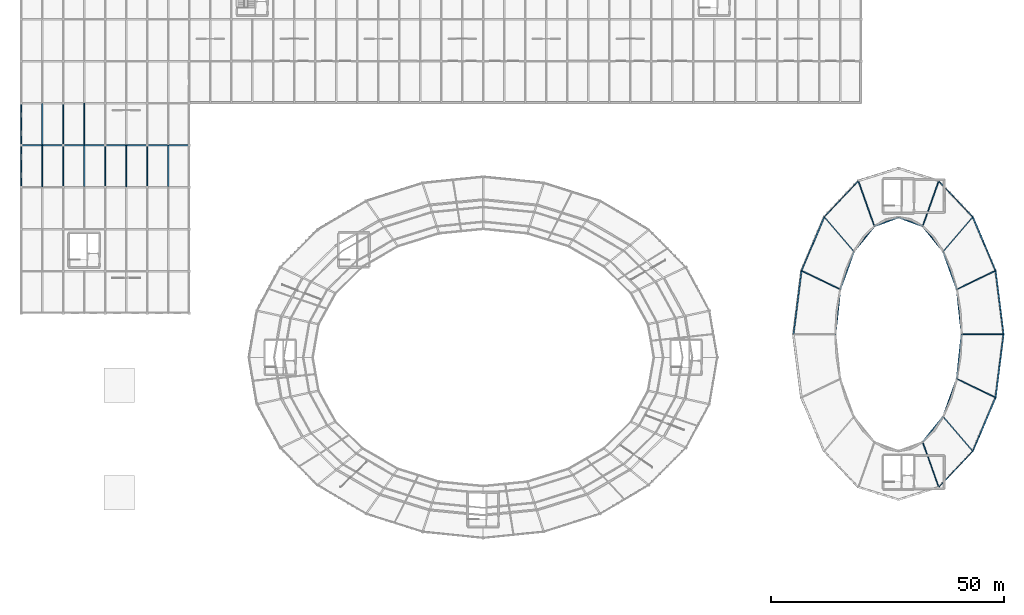
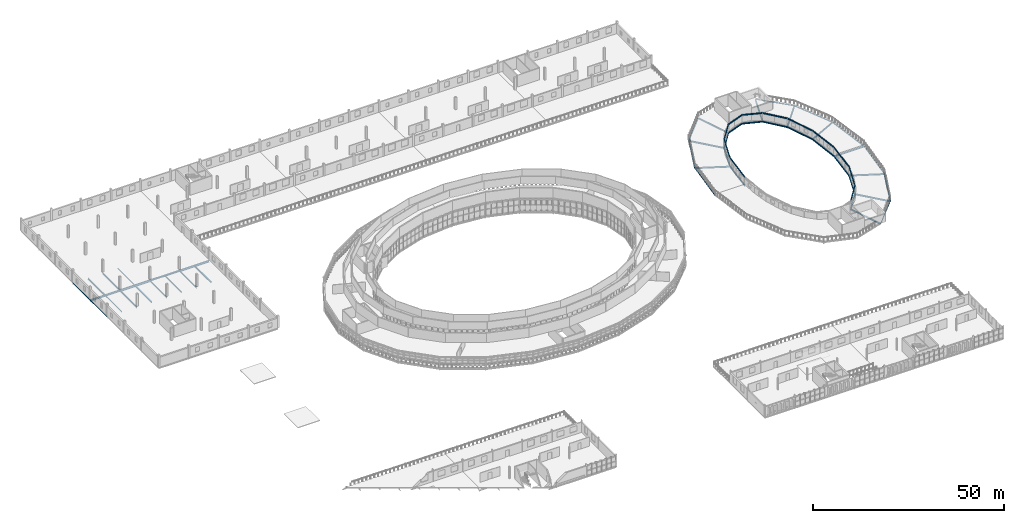
# One storey, part 70 of 123: 57 beams.
"""IFC4 building model written with IfcOpenShell, lengths in metres."""

from ifc_helpers import new_model, si_unit, direction, frame, origin, origin_2d, place, context, subcontext, project, spatial, hollow_rectangle, i_section, extrude, material, material_profile, profile_set, type_object, element, save


model = new_model("IFC4")

# Units and contexts
model_context = context("Model", 3, precision=1e-05, world=origin(), true_north=direction((0.0, 1.0)))
body_context = subcontext(model_context, "Body", "Model", "MODEL_VIEW")
ifc_project = project(units=[si_unit("LENGTHUNIT", "METRE"), si_unit("AREAUNIT", "SQUARE_METRE"), si_unit("VOLUMEUNIT", "CUBIC_METRE"), si_unit("PLANEANGLEUNIT", "RADIAN"), si_unit("MASSUNIT", "GRAM", prefix="KILO")], contexts=[model_context])

# Site, building, storey
site_placement = place(None, origin())
site = spatial("IfcSite", under=ifc_project, at=site_placement, CompositionType="ELEMENT")
building_placement = place(site_placement, origin())
building = spatial("IfcBuilding", under=site, at=building_placement, Name="Kildeholm Park Wholesale Market", CompositionType="ELEMENT")
storey_placement = place(building_placement, frame((0.0, 0.0, 9.60009765625)))
storey = spatial("IfcBuildingStorey", under=building, at=storey_placement, Name="L02", CompositionType="ELEMENT", Elevation=9.60009765625)

# Beams
ifc_material = material(Name="Steel S355", Category="steel")
ifc_material_profile_1 = material_profile(ifc_material, i_section(OverallWidth=0.14990234375, OverallDepth=0.300048828125, WebThickness=0.007080078125, FlangeThickness=0.0107421875, FilletRadius=0.014892578125, at=origin_2d()), Name="IPE 300")
ifc_profile_set_1 = profile_set([ifc_material_profile_1], Name="Steel S355")
beam_type_1 = type_object("IfcBeamType", Name="Beam B-C01 IPE 300", PredefinedType="BEAM", material=ifc_profile_set_1)
beam_1_placement = place(storey_placement, frame((201.5, 94.5, 2.219970703125), z_axis=(-0.106846684142, 0.99427550814, 0.0), x_axis=(-0.99427550814, -0.106846684142, 0.0)))
element("IfcBeam", 1, at=beam_1_placement, inside=storey, type_object=beam_type_1, Name="Beam BM-V2-RF-CI-00 BM-0369", PredefinedType="BEAM", context=body_context, shape_type="SweptSolid", body=[
    extrude(i_section(OverallWidth=0.14990234375, OverallDepth=0.300048828125, WebThickness=0.007080078125, FlangeThickness=0.0107421875, FilletRadius=0.014892578125, at=origin_2d()), origin(), (0.0, 0.0, 1.0), 9.6220703125),
])
beam_2_placement = place(storey_placement, frame((200.471923828125, 104.06689453125, 2.216796875), z_axis=(-0.339339006409, 0.940664147679, 0.0), x_axis=(-0.940664147679, -0.339339006409, 0.0)))
element("IfcBeam", 2, at=beam_2_placement, inside=storey, type_object=beam_type_1, Name="Beam BM-V2-RF-CI-01 BM-0376", PredefinedType="BEAM", context=body_context, shape_type="SweptSolid", body=[
    extrude(i_section(OverallWidth=0.14990234375, OverallDepth=0.300048828125, WebThickness=0.007080078125, FlangeThickness=0.0107421875, FilletRadius=0.014892578125, at=origin_2d()), origin(), (0.0, 0.0, 1.0), 8.622802734375),
])
beam_3_placement = place(storey_placement, frame((197.5458984375, 112.177978515625, 2.2158203125), z_axis=(-0.628601322688, 0.777727701136, 0.0), x_axis=(-0.777727701136, -0.628601322688, 0.0)))
element("IfcBeam", 3, at=beam_3_placement, inside=storey, type_object=beam_type_1, Name="Beam BM-V2-RF-CI-02 BM-0383", PredefinedType="BEAM", context=body_context, shape_type="SweptSolid", body=[
    extrude(i_section(OverallWidth=0.14990234375, OverallDepth=0.300048828125, WebThickness=0.007080078125, FlangeThickness=0.0107421875, FilletRadius=0.014892578125, at=origin_2d()), origin(), (0.0, 0.0, 1.0), 6.9677734375),
])
for number, where, z_axis, x_axis, name in (
    (4, (193.166015625, 117.596923828125, 2.216796875), (-0.93835447313, 0.345674532989, 0.0), (-0.345674532989, -0.93835447313, 0.0), "Beam BM-V2-RF-CI-03 BM-0390"),
    (5, (188.0, 119.5, 2.216796875), (-0.93835447313, -0.345674532989, 0.0), (0.345674532989, -0.93835447313, 0.0), "Beam BM-V2-RF-CI-04 BM-0395"),
):
    element("IfcBeam", number, at=place(storey_placement, frame(where, z_axis=z_axis, x_axis=x_axis)), inside=storey, type_object=beam_type_1, Name=name, PredefinedType="BEAM", context=body_context, shape_type="SweptSolid", body=[
        extrude(i_section(OverallWidth=0.14990234375, OverallDepth=0.300048828125, WebThickness=0.007080078125, FlangeThickness=0.0107421875, FilletRadius=0.014892578125, at=origin_2d()), origin(), (0.0, 0.0, 1.0), 5.50537109375),
    ])
beam_4_placement = place(storey_placement, frame((182.833984375, 117.596923828125, 2.2158203125), z_axis=(-0.628601322688, -0.777727701136, 0.0), x_axis=(0.777727701136, -0.628601322688, 0.0)))
element("IfcBeam", 6, at=beam_4_placement, inside=storey, type_object=beam_type_1, Name="Beam BM-V2-RF-CI-05 BM-0402", PredefinedType="BEAM", context=body_context, shape_type="SweptSolid", body=[
    extrude(i_section(OverallWidth=0.14990234375, OverallDepth=0.300048828125, WebThickness=0.007080078125, FlangeThickness=0.0107421875, FilletRadius=0.014892578125, at=origin_2d()), origin(), (0.0, 0.0, 1.0), 6.9677734375),
])
beam_5_placement = place(storey_placement, frame((178.4541015625, 112.177978515625, 2.216796875), z_axis=(-0.339339006409, -0.940664147679, 0.0), x_axis=(0.940664147679, -0.339339006409, 0.0)))
element("IfcBeam", 7, at=beam_5_placement, inside=storey, type_object=beam_type_1, Name="Beam BM-V2-RF-CI-06 BM-0409", PredefinedType="BEAM", context=body_context, shape_type="SweptSolid", body=[
    extrude(i_section(OverallWidth=0.14990234375, OverallDepth=0.300048828125, WebThickness=0.007080078125, FlangeThickness=0.0107421875, FilletRadius=0.014892578125, at=origin_2d()), origin(), (0.0, 0.0, 1.0), 8.622802734375),
])
beam_6_placement = place(storey_placement, frame((175.528076171875, 104.06689453125, 2.219970703125), z_axis=(-0.106846684142, -0.99427550814, 0.0), x_axis=(0.99427550814, -0.106846684142, 0.0)))
element("IfcBeam", 8, at=beam_6_placement, inside=storey, type_object=beam_type_1, Name="Beam BM-V2-RF-CI-07 BM-0416", PredefinedType="BEAM", context=body_context, shape_type="SweptSolid", body=[
    extrude(i_section(OverallWidth=0.14990234375, OverallDepth=0.300048828125, WebThickness=0.007080078125, FlangeThickness=0.0107421875, FilletRadius=0.014892578125, at=origin_2d()), origin(), (0.0, 0.0, 1.0), 9.6220703125),
])
beam_7_placement = place(storey_placement, frame((193.166015625, 71.403076171875, 2.2158203125), z_axis=(0.628601322688, 0.777727701136, 0.0), x_axis=(-0.777727701136, 0.628601322688, 0.0)))
element("IfcBeam", 9, at=beam_7_placement, inside=storey, type_object=beam_type_1, Name="Beam BM-V2-RF-CI-13 BM-0456", PredefinedType="BEAM", context=body_context, shape_type="SweptSolid", body=[
    extrude(i_section(OverallWidth=0.14990234375, OverallDepth=0.300048828125, WebThickness=0.007080078125, FlangeThickness=0.0107421875, FilletRadius=0.014892578125, at=origin_2d()), origin(), (0.0, 0.0, 1.0), 6.9677734375),
])
beam_8_placement = place(storey_placement, frame((197.5458984375, 76.822021484375, 2.216796875), z_axis=(0.339339006409, 0.940664147679, 0.0), x_axis=(-0.940664147679, 0.339339006409, 0.0)))
element("IfcBeam", 10, at=beam_8_placement, inside=storey, type_object=beam_type_1, Name="Beam BM-V2-RF-CI-14 BM-0463", PredefinedType="BEAM", context=body_context, shape_type="SweptSolid", body=[
    extrude(i_section(OverallWidth=0.14990234375, OverallDepth=0.300048828125, WebThickness=0.007080078125, FlangeThickness=0.0107421875, FilletRadius=0.014892578125, at=origin_2d()), origin(), (0.0, 0.0, 1.0), 8.622802734375),
])
beam_9_placement = place(storey_placement, frame((200.471923828125, 84.93310546875, 2.219970703125), z_axis=(0.106846684142, 0.99427550814, 0.0), x_axis=(-0.99427550814, 0.106846684142, 0.0)))
element("IfcBeam", 11, at=beam_9_placement, inside=storey, type_object=beam_type_1, Name="Beam BM-V2-RF-CI-15 BM-0470", PredefinedType="BEAM", context=body_context, shape_type="SweptSolid", body=[
    extrude(i_section(OverallWidth=0.14990234375, OverallDepth=0.300048828125, WebThickness=0.007080078125, FlangeThickness=0.0107421875, FilletRadius=0.014892578125, at=origin_2d()), origin(), (0.0, 0.0, 1.0), 9.6220703125),
])
ifc_material_profile_2 = material_profile(ifc_material, i_section(OverallWidth=0.18994140625, OverallDepth=0.449951171875, WebThickness=0.009521484375, FlangeThickness=0.0146484375, FilletRadius=0.02099609375, at=origin_2d()), Name="IPE 450")
ifc_profile_set_2 = profile_set([ifc_material_profile_2], Name="Steel S355")
beam_type_2 = type_object("IfcBeamType", Name="Beam B-P02 IPE 450", PredefinedType="BEAM", material=ifc_profile_set_2)
for number, where, z_axis, x_axis, name in (
    (12, (9.0, 126.0, -0.545166015625), (0.0, 1.0, 0.0), (-1.0, 0.0, 0.0), "Beam BM-V4-L02-Y-009-126 BM-0931"),
    (13, (9.0, 135.0, -0.545166015625), (0.0, 1.0, 0.0), (-1.0, 0.0, 0.0), "Beam BM-V4-L02-Y-009-135 BM-0934"),
    (14, (18.0, 126.0, -0.545166015625), (0.0, 1.0, 0.0), (-1.0, 0.0, 0.0), "Beam BM-V4-L02-Y-018-126 BM-0956"),
    (15, (27.0, 126.0, -0.545166015625), (0.0, 1.0, 0.0), (-1.0, 0.0, 0.0), "Beam BM-V4-L02-Y-027-126 BM-0981"),
):
    element("IfcBeam", number, at=place(storey_placement, frame(where, z_axis=z_axis, x_axis=x_axis)), inside=storey, type_object=beam_type_2, Name=name, PredefinedType="BEAM", context=body_context, shape_type="SweptSolid", body=[
        extrude(i_section(OverallWidth=0.18994140625, OverallDepth=0.449951171875, WebThickness=0.009521484375, FlangeThickness=0.0146484375, FilletRadius=0.02099609375, at=origin_2d()), origin(), (0.0, 0.0, 1.0), 9.0),
    ])
ifc_material_profile_3 = material_profile(ifc_material, i_section(OverallWidth=0.199951171875, OverallDepth=0.5, WebThickness=0.01025390625, FlangeThickness=0.01611328125, FilletRadius=0.02099609375, at=origin_2d()), Name="IPE 500")
ifc_profile_set_3 = profile_set([ifc_material_profile_3], Name="Steel S355")
beam_type_3 = type_object("IfcBeamType", Name="Beam B-P03 IPE 500", PredefinedType="BEAM", material=ifc_profile_set_3)
beam_10_placement = place(storey_placement, frame((201.5, 94.5, -0.5400390625), z_axis=(1.0, 0.0, 0.0), x_axis=(0.0, 1.0, 0.0)))
element("IfcBeam", 16, at=beam_10_placement, inside=storey, type_object=beam_type_3, Name="Beam BM-V2-L02-R-00 BM-0364", PredefinedType="BEAM", context=body_context, shape_type="SweptSolid", body=[
    extrude(i_section(OverallWidth=0.199951171875, OverallDepth=0.5, WebThickness=0.01025390625, FlangeThickness=0.01611328125, FilletRadius=0.02099609375, at=origin_2d()), origin(), (0.0, 0.0, 1.0), 9.0),
])
beam_11_placement = place(storey_placement, frame((200.471923828125, 104.06689453125, -0.5400390625), z_axis=(0.900388826514, 0.435086153639, 0.0), x_axis=(-0.435086153639, 0.900388826514, 0.0)))
element("IfcBeam", 17, at=beam_11_placement, inside=storey, type_object=beam_type_3, Name="Beam BM-V2-L02-R-01 BM-0371", PredefinedType="BEAM", context=body_context, shape_type="SweptSolid", body=[
    extrude(i_section(OverallWidth=0.199951171875, OverallDepth=0.5, WebThickness=0.01025390625, FlangeThickness=0.01611328125, FilletRadius=0.02099609375, at=origin_2d()), origin(), (0.0, 0.0, 1.0), 9.235107421875),
])
beam_12_placement = place(storey_placement, frame((197.5458984375, 112.177978515625, -0.5400390625), z_axis=(0.650822214859, 0.75923016579, 0.0), x_axis=(-0.75923016579, 0.650822214859, 0.0)))
element("IfcBeam", 18, at=beam_12_placement, inside=storey, type_object=beam_type_3, Name="Beam BM-V2-L02-R-02 BM-0378", PredefinedType="BEAM", context=body_context, shape_type="SweptSolid", body=[
    extrude(i_section(OverallWidth=0.199951171875, OverallDepth=0.5, WebThickness=0.01025390625, FlangeThickness=0.01611328125, FilletRadius=0.02099609375, at=origin_2d()), origin(), (0.0, 0.0, 1.0), 9.7783203125),
])
for number, where, z_axis, x_axis, name in (
    (19, (193.166015625, 117.596923828125, -0.5400390625), (0.334560005007, 0.942374449489, 0.0), (-0.942374449489, 0.334560005007, 0.0), "Beam BM-V2-L02-R-03 BM-0385"),
    (20, (182.833984375, 117.596923828125, -0.5400390625), (-0.334560005007, 0.942374449489, 0.0), (-0.942374449489, -0.334560005007, 0.0), "Beam BM-V2-L02-R-05 BM-0397"),
):
    element("IfcBeam", number, at=place(storey_placement, frame(where, z_axis=z_axis, x_axis=x_axis)), inside=storey, type_object=beam_type_3, Name=name, PredefinedType="BEAM", context=body_context, shape_type="SweptSolid", body=[
        extrude(i_section(OverallWidth=0.199951171875, OverallDepth=0.5, WebThickness=0.01025390625, FlangeThickness=0.01611328125, FilletRadius=0.02099609375, at=origin_2d()), origin(), (0.0, 0.0, 1.0), 10.29443359375),
    ])
beam_13_placement = place(storey_placement, frame((178.4541015625, 112.177978515625, -0.5400390625), z_axis=(-0.650822214859, 0.75923016579, 0.0), x_axis=(-0.75923016579, -0.650822214859, 0.0)))
element("IfcBeam", 21, at=beam_13_placement, inside=storey, type_object=beam_type_3, Name="Beam BM-V2-L02-R-06 BM-0404", PredefinedType="BEAM", context=body_context, shape_type="SweptSolid", body=[
    extrude(i_section(OverallWidth=0.199951171875, OverallDepth=0.5, WebThickness=0.01025390625, FlangeThickness=0.01611328125, FilletRadius=0.02099609375, at=origin_2d()), origin(), (0.0, 0.0, 1.0), 9.7783203125),
])
beam_14_placement = place(storey_placement, frame((175.528076171875, 104.06689453125, -0.5400390625), z_axis=(-0.900388826514, 0.435086153639, 0.0), x_axis=(-0.435086153639, -0.900388826514, 0.0)))
element("IfcBeam", 22, at=beam_14_placement, inside=storey, type_object=beam_type_3, Name="Beam BM-V2-L02-R-07 BM-0411", PredefinedType="BEAM", context=body_context, shape_type="SweptSolid", body=[
    extrude(i_section(OverallWidth=0.199951171875, OverallDepth=0.5, WebThickness=0.01025390625, FlangeThickness=0.01611328125, FilletRadius=0.02099609375, at=origin_2d()), origin(), (0.0, 0.0, 1.0), 9.235107421875),
])
beam_15_placement = place(storey_placement, frame((193.166015625, 71.403076171875, -0.5400390625), z_axis=(0.334560005007, -0.942374449489, 0.0), x_axis=(0.942374449489, 0.334560005007, 0.0)))
element("IfcBeam", 23, at=beam_15_placement, inside=storey, type_object=beam_type_3, Name="Beam BM-V2-L02-R-13 BM-0451", PredefinedType="BEAM", context=body_context, shape_type="SweptSolid", body=[
    extrude(i_section(OverallWidth=0.199951171875, OverallDepth=0.5, WebThickness=0.01025390625, FlangeThickness=0.01611328125, FilletRadius=0.02099609375, at=origin_2d()), origin(), (0.0, 0.0, 1.0), 10.29443359375),
])
beam_16_placement = place(storey_placement, frame((197.5458984375, 76.822021484375, -0.5400390625), z_axis=(0.650822214859, -0.75923016579, 0.0), x_axis=(0.75923016579, 0.650822214859, 0.0)))
element("IfcBeam", 24, at=beam_16_placement, inside=storey, type_object=beam_type_3, Name="Beam BM-V2-L02-R-14 BM-0458", PredefinedType="BEAM", context=body_context, shape_type="SweptSolid", body=[
    extrude(i_section(OverallWidth=0.199951171875, OverallDepth=0.5, WebThickness=0.01025390625, FlangeThickness=0.01611328125, FilletRadius=0.02099609375, at=origin_2d()), origin(), (0.0, 0.0, 1.0), 9.7783203125),
])
beam_17_placement = place(storey_placement, frame((200.471923828125, 84.93310546875, -0.5400390625), z_axis=(0.900388826514, -0.435086153639, 0.0), x_axis=(0.435086153639, 0.900388826514, 0.0)))
element("IfcBeam", 25, at=beam_17_placement, inside=storey, type_object=beam_type_3, Name="Beam BM-V2-L02-R-15 BM-0465", PredefinedType="BEAM", context=body_context, shape_type="SweptSolid", body=[
    extrude(i_section(OverallWidth=0.199951171875, OverallDepth=0.5, WebThickness=0.01025390625, FlangeThickness=0.01611328125, FilletRadius=0.02099609375, at=origin_2d()), origin(), (0.0, 0.0, 1.0), 9.235107421875),
])
ifc_material_profile_4 = material_profile(ifc_material, i_section(OverallWidth=0.300048828125, OverallDepth=0.43994140625, WebThickness=0.011474609375, FlangeThickness=0.02099609375, FilletRadius=0.027099609375, at=origin_2d()), Name="HEA 450")
ifc_profile_set_4 = profile_set([ifc_material_profile_4], Name="Steel S355")
beam_type_4 = type_object("IfcBeamType", Name="Beam B-R02 HEA 450", PredefinedType="BEAM", material=ifc_profile_set_4)
beam_18_placement = place(storey_placement, frame((201.5, 94.5, -0.510009765625), z_axis=(-0.106846684142, 0.99427550814, 0.0), x_axis=(-0.99427550814, -0.106846684142, 0.0)))
element("IfcBeam", 26, at=beam_18_placement, inside=storey, type_object=beam_type_4, Name="Beam BM-V2-L02-CI-00 BM-0367", PredefinedType="BEAM", context=body_context, shape_type="SweptSolid", body=[
    extrude(i_section(OverallWidth=0.300048828125, OverallDepth=0.43994140625, WebThickness=0.011474609375, FlangeThickness=0.02099609375, FilletRadius=0.027099609375, at=origin_2d()), origin(), (0.0, 0.0, 1.0), 9.6220703125),
])
beam_19_placement = place(storey_placement, frame((200.471923828125, 104.06689453125, -0.510009765625), z_axis=(-0.339339006409, 0.940664147679, 0.0), x_axis=(-0.940664147679, -0.339339006409, 0.0)))
element("IfcBeam", 27, at=beam_19_placement, inside=storey, type_object=beam_type_4, Name="Beam BM-V2-L02-CI-01 BM-0374", PredefinedType="BEAM", context=body_context, shape_type="SweptSolid", body=[
    extrude(i_section(OverallWidth=0.300048828125, OverallDepth=0.43994140625, WebThickness=0.011474609375, FlangeThickness=0.02099609375, FilletRadius=0.027099609375, at=origin_2d()), origin(), (0.0, 0.0, 1.0), 8.622802734375),
])
beam_20_placement = place(storey_placement, frame((197.5458984375, 112.177978515625, -0.510009765625), z_axis=(-0.628601322688, 0.777727701136, 0.0), x_axis=(-0.777727701136, -0.628601322688, 0.0)))
element("IfcBeam", 28, at=beam_20_placement, inside=storey, type_object=beam_type_4, Name="Beam BM-V2-L02-CI-02 BM-0381", PredefinedType="BEAM", context=body_context, shape_type="SweptSolid", body=[
    extrude(i_section(OverallWidth=0.300048828125, OverallDepth=0.43994140625, WebThickness=0.011474609375, FlangeThickness=0.02099609375, FilletRadius=0.027099609375, at=origin_2d()), origin(), (0.0, 0.0, 1.0), 6.9677734375),
])
for number, where, z_axis, x_axis, name in (
    (29, (193.166015625, 117.596923828125, -0.510009765625), (-0.93835447313, 0.345674532989, 0.0), (-0.345674532989, -0.93835447313, 0.0), "Beam BM-V2-L02-CI-03 BM-0388"),
    (30, (188.0, 119.5, -0.510009765625), (-0.93835447313, -0.345674532989, 0.0), (0.345674532989, -0.93835447313, 0.0), "Beam BM-V2-L02-CI-04 BM-0393"),
):
    element("IfcBeam", number, at=place(storey_placement, frame(where, z_axis=z_axis, x_axis=x_axis)), inside=storey, type_object=beam_type_4, Name=name, PredefinedType="BEAM", context=body_context, shape_type="SweptSolid", body=[
        extrude(i_section(OverallWidth=0.300048828125, OverallDepth=0.43994140625, WebThickness=0.011474609375, FlangeThickness=0.02099609375, FilletRadius=0.027099609375, at=origin_2d()), origin(), (0.0, 0.0, 1.0), 5.50537109375),
    ])
beam_21_placement = place(storey_placement, frame((182.833984375, 117.596923828125, -0.510009765625), z_axis=(-0.628601322688, -0.777727701136, 0.0), x_axis=(0.777727701136, -0.628601322688, 0.0)))
element("IfcBeam", 31, at=beam_21_placement, inside=storey, type_object=beam_type_4, Name="Beam BM-V2-L02-CI-05 BM-0400", PredefinedType="BEAM", context=body_context, shape_type="SweptSolid", body=[
    extrude(i_section(OverallWidth=0.300048828125, OverallDepth=0.43994140625, WebThickness=0.011474609375, FlangeThickness=0.02099609375, FilletRadius=0.027099609375, at=origin_2d()), origin(), (0.0, 0.0, 1.0), 6.9677734375),
])
beam_22_placement = place(storey_placement, frame((178.4541015625, 112.177978515625, -0.510009765625), z_axis=(-0.339339006409, -0.940664147679, 0.0), x_axis=(0.940664147679, -0.339339006409, 0.0)))
element("IfcBeam", 32, at=beam_22_placement, inside=storey, type_object=beam_type_4, Name="Beam BM-V2-L02-CI-06 BM-0407", PredefinedType="BEAM", context=body_context, shape_type="SweptSolid", body=[
    extrude(i_section(OverallWidth=0.300048828125, OverallDepth=0.43994140625, WebThickness=0.011474609375, FlangeThickness=0.02099609375, FilletRadius=0.027099609375, at=origin_2d()), origin(), (0.0, 0.0, 1.0), 8.622802734375),
])
beam_23_placement = place(storey_placement, frame((175.528076171875, 104.06689453125, -0.510009765625), z_axis=(-0.106846684142, -0.99427550814, 0.0), x_axis=(0.99427550814, -0.106846684142, 0.0)))
element("IfcBeam", 33, at=beam_23_placement, inside=storey, type_object=beam_type_4, Name="Beam BM-V2-L02-CI-07 BM-0414", PredefinedType="BEAM", context=body_context, shape_type="SweptSolid", body=[
    extrude(i_section(OverallWidth=0.300048828125, OverallDepth=0.43994140625, WebThickness=0.011474609375, FlangeThickness=0.02099609375, FilletRadius=0.027099609375, at=origin_2d()), origin(), (0.0, 0.0, 1.0), 9.6220703125),
])
beam_24_placement = place(storey_placement, frame((193.166015625, 71.403076171875, -0.510009765625), z_axis=(0.628601322688, 0.777727701136, 0.0), x_axis=(-0.777727701136, 0.628601322688, 0.0)))
element("IfcBeam", 34, at=beam_24_placement, inside=storey, type_object=beam_type_4, Name="Beam BM-V2-L02-CI-13 BM-0454", PredefinedType="BEAM", context=body_context, shape_type="SweptSolid", body=[
    extrude(i_section(OverallWidth=0.300048828125, OverallDepth=0.43994140625, WebThickness=0.011474609375, FlangeThickness=0.02099609375, FilletRadius=0.027099609375, at=origin_2d()), origin(), (0.0, 0.0, 1.0), 6.9677734375),
])
beam_25_placement = place(storey_placement, frame((197.5458984375, 76.822021484375, -0.510009765625), z_axis=(0.339339006409, 0.940664147679, 0.0), x_axis=(-0.940664147679, 0.339339006409, 0.0)))
element("IfcBeam", 35, at=beam_25_placement, inside=storey, type_object=beam_type_4, Name="Beam BM-V2-L02-CI-14 BM-0461", PredefinedType="BEAM", context=body_context, shape_type="SweptSolid", body=[
    extrude(i_section(OverallWidth=0.300048828125, OverallDepth=0.43994140625, WebThickness=0.011474609375, FlangeThickness=0.02099609375, FilletRadius=0.027099609375, at=origin_2d()), origin(), (0.0, 0.0, 1.0), 8.622802734375),
])
beam_26_placement = place(storey_placement, frame((200.471923828125, 84.93310546875, -0.510009765625), z_axis=(0.106846684142, 0.99427550814, 0.0), x_axis=(-0.99427550814, 0.106846684142, 0.0)))
element("IfcBeam", 36, at=beam_26_placement, inside=storey, type_object=beam_type_4, Name="Beam BM-V2-L02-CI-15 BM-0468", PredefinedType="BEAM", context=body_context, shape_type="SweptSolid", body=[
    extrude(i_section(OverallWidth=0.300048828125, OverallDepth=0.43994140625, WebThickness=0.011474609375, FlangeThickness=0.02099609375, FilletRadius=0.027099609375, at=origin_2d()), origin(), (0.0, 0.0, 1.0), 9.6220703125),
])
ifc_material_profile_5 = material_profile(ifc_material, i_section(OverallWidth=0.300048828125, OverallDepth=0.550048828125, WebThickness=0.014892578125, FlangeThickness=0.029052734375, FilletRadius=0.027099609375, at=origin_2d()), Name="HEB 550")
ifc_profile_set_5 = profile_set([ifc_material_profile_5], Name="Steel S355")
beam_type_5 = type_object("IfcBeamType", Name="Beam B-X03 HEB 550", PredefinedType="BEAM", material=ifc_profile_set_5)
beam_27_placement = place(storey_placement, frame((0.0, 135.0, -0.59912109375), z_axis=(1.0, 0.0, 0.0), x_axis=(0.0, 1.0, 0.0)))
element("IfcBeam", 37, at=beam_27_placement, inside=storey, type_object=beam_type_5, Name="Beam BM-V4-L02-X-000-135 BM-0909", PredefinedType="BEAM", context=body_context, shape_type="SweptSolid", body=[
    extrude(i_section(OverallWidth=0.300048828125, OverallDepth=0.550048828125, WebThickness=0.014892578125, FlangeThickness=0.029052734375, FilletRadius=0.027099609375, at=origin_2d()), origin(), (0.0, 0.0, 1.0), 9.0),
])
ifc_material_profile_6 = material_profile(ifc_material, i_section(OverallWidth=0.300048828125, OverallDepth=0.64990234375, WebThickness=0.01611328125, FlangeThickness=0.031005859375, FilletRadius=0.027099609375, at=origin_2d()), Name="HEB 650")
ifc_profile_set_6 = profile_set([ifc_material_profile_6], Name="Steel S355")
beam_type_6 = type_object("IfcBeamType", Name="Beam B-X04 HEB 650", PredefinedType="BEAM", material=ifc_profile_set_6)
beam_28_placement = place(storey_placement, frame((9.0, 135.0, -0.64501953125), z_axis=(1.0, 0.0, 0.0), x_axis=(0.0, 1.0, 0.0)))
element("IfcBeam", 38, at=beam_28_placement, inside=storey, type_object=beam_type_6, Name="Beam BM-V4-L02-X-009-135 BM-0933", PredefinedType="BEAM", context=body_context, shape_type="SweptSolid", body=[
    extrude(i_section(OverallWidth=0.300048828125, OverallDepth=0.64990234375, WebThickness=0.01611328125, FlangeThickness=0.031005859375, FilletRadius=0.027099609375, at=origin_2d()), origin(), (0.0, 0.0, 1.0), 9.0),
])
ifc_material_profile_7 = material_profile(ifc_material, i_section(OverallWidth=0.300048828125, OverallDepth=0.5, WebThickness=0.014404296875, FlangeThickness=0.028076171875, FilletRadius=0.027099609375, at=origin_2d()), Name="HEB 500")
ifc_profile_set_7 = profile_set([ifc_material_profile_7], Name="Steel S355")
beam_type_7 = type_object("IfcBeamType", Name="Beam B-X05 HEB 500", PredefinedType="BEAM", material=ifc_profile_set_7)
beam_29_placement = place(storey_placement, frame((18.0, 135.0, -0.570068359375), z_axis=(1.0, 0.0, 0.0), x_axis=(0.0, 1.0, 0.0)))
element("IfcBeam", 39, at=beam_29_placement, inside=storey, type_object=beam_type_7, Name="Beam BM-V4-L02-X-018-135 BM-0958", PredefinedType="BEAM", context=body_context, shape_type="SweptSolid", body=[
    extrude(i_section(OverallWidth=0.300048828125, OverallDepth=0.5, WebThickness=0.014404296875, FlangeThickness=0.028076171875, FilletRadius=0.027099609375, at=origin_2d()), origin(), (0.0, 0.0, 1.0), 9.0),
])
ifc_material_profile_8 = material_profile(ifc_material, i_section(OverallWidth=0.300048828125, OverallDepth=0.60009765625, WebThickness=0.015380859375, FlangeThickness=0.030029296875, FilletRadius=0.027099609375, at=origin_2d()), Name="HEB 600")
ifc_profile_set_8 = profile_set([ifc_material_profile_8], Name="Steel S355")
beam_type_8 = type_object("IfcBeamType", Name="Beam B-X06 HEB 600", PredefinedType="BEAM", material=ifc_profile_set_8)
beam_30_placement = place(storey_placement, frame((27.0, 135.0, -0.6240234375), z_axis=(1.0, 0.0, 0.0), x_axis=(0.0, 1.0, 0.0)))
element("IfcBeam", 40, at=beam_30_placement, inside=storey, type_object=beam_type_8, Name="Beam BM-V4-L02-X-027-135 BM-0983", PredefinedType="BEAM", context=body_context, shape_type="SweptSolid", body=[
    extrude(i_section(OverallWidth=0.300048828125, OverallDepth=0.60009765625, WebThickness=0.015380859375, FlangeThickness=0.030029296875, FilletRadius=0.027099609375, at=origin_2d()), origin(), (0.0, 0.0, 1.0), 9.0),
])
ifc_material_profile_9 = material_profile(ifc_material, i_section(OverallWidth=0.159912109375, OverallDepth=0.330078125, WebThickness=0.007568359375, FlangeThickness=0.011474609375, FilletRadius=0.01806640625, at=origin_2d()), Name="IPE 330")
ifc_profile_set_9 = profile_set([ifc_material_profile_9], Name="Steel S355")
beam_type_9 = type_object("IfcBeamType", Name="Beam J-03 IPE 330", PredefinedType="JOIST", material=ifc_profile_set_9)
for number, where, z_axis, x_axis, name in (
    (41, (4.5, 126.0849609375, -0.485107421875), (0.0, 1.0, 0.0), (-1.0, 0.0, 0.0), "Beam JT-V4-L02-000-126 BM-0908"),
    (42, (13.5, 135.0849609375, -0.485107421875), (0.0, 1.0, 0.0), (-1.0, 0.0, 0.0), "Beam JT-V4-L02-009-135 BM-0935"),
    (43, (22.5, 126.0849609375, -0.485107421875), (0.0, 1.0, 0.0), (-1.0, 0.0, 0.0), "Beam JT-V4-L02-018-126 BM-0957"),
):
    element("IfcBeam", number, at=place(storey_placement, frame(where, z_axis=z_axis, x_axis=x_axis)), inside=storey, type_object=beam_type_9, Name=name, PredefinedType="JOIST", context=body_context, shape_type="SweptSolid", body=[
        extrude(i_section(OverallWidth=0.159912109375, OverallDepth=0.330078125, WebThickness=0.007568359375, FlangeThickness=0.011474609375, FilletRadius=0.01806640625, at=origin_2d()), origin(), (0.0, 0.0, 1.0), 8.830078125),
    ])
ifc_material_profile_10 = material_profile(ifc_material, i_section(OverallWidth=0.300048828125, OverallDepth=0.389892578125, WebThickness=0.010986328125, FlangeThickness=0.01904296875, FilletRadius=0.027099609375, at=origin_2d()), Name="HEA 400")
ifc_profile_set_10 = profile_set([ifc_material_profile_10], Name="Steel S355")
beam_type_10 = type_object("IfcBeamType", Name="Beam J-06 HEA 400", PredefinedType="JOIST", material=ifc_profile_set_10)
for number, where, z_axis, x_axis, name in (
    (44, (4.5, 135.0849609375, -0.51904296875), (0.0, 1.0, 0.0), (-1.0, 0.0, 0.0), "Beam JT-V4-L02-000-135 BM-0911"),
    (45, (13.5, 126.0849609375, -0.51904296875), (0.0, 1.0, 0.0), (-1.0, 0.0, 0.0), "Beam JT-V4-L02-009-126 BM-0932"),
    (46, (31.5, 126.0849609375, -0.51904296875), (0.0, 1.0, 0.0), (-1.0, 0.0, 0.0), "Beam JT-V4-L02-027-126 BM-0982"),
):
    element("IfcBeam", number, at=place(storey_placement, frame(where, z_axis=z_axis, x_axis=x_axis)), inside=storey, type_object=beam_type_10, Name=name, PredefinedType="JOIST", context=body_context, shape_type="SweptSolid", body=[
        extrude(i_section(OverallWidth=0.300048828125, OverallDepth=0.389892578125, WebThickness=0.010986328125, FlangeThickness=0.01904296875, FilletRadius=0.027099609375, at=origin_2d()), origin(), (0.0, 0.0, 1.0), 8.830078125),
    ])
ifc_material_profile_11 = material_profile(ifc_material, hollow_rectangle(XDim=0.199951171875, YDim=0.300048828125, WallThickness=0.012451171875, InnerFilletRadius=0.012451171875, OuterFilletRadius=0.02490234375, at=origin_2d()), Name="RHS 300x200x12.5")
ifc_profile_set_11 = profile_set([ifc_material_profile_11], Name="Steel S355")
beam_type_11 = type_object("IfcBeamType", Name="Beam SP-01 RHS 300x200x12.5", PredefinedType="SPANDREL", material=ifc_profile_set_11)
beam_31_placement = place(storey_placement, frame((210.5, 94.5, -0.440185546875), z_axis=(-0.125096795787, 0.99214454173, 0.0), x_axis=(-0.99214454173, -0.125096795787, 0.0)))
element("IfcBeam", 47, at=beam_31_placement, inside=storey, type_object=beam_type_11, Name="Beam BM-V2-L02-CO-00 BM-0368", PredefinedType="SPANDREL", context=body_context, shape_type="SweptSolid", body=[
    extrude(hollow_rectangle(XDim=0.199951171875, YDim=0.300048828125, WallThickness=0.012451171875, InnerFilletRadius=0.012451171875, OuterFilletRadius=0.02490234375, at=origin_2d()), origin(), (0.0, 0.0, 1.0), 13.692626953125),
])
beam_32_placement = place(storey_placement, frame((208.787109375, 108.0849609375, -0.440185546875), z_axis=(-0.389950720924, 0.920835726528, 0.0), x_axis=(-0.920835726528, -0.389950720924, 0.0)))
element("IfcBeam", 48, at=beam_32_placement, inside=storey, type_object=beam_type_11, Name="Beam BM-V2-L02-CO-01 BM-0375", PredefinedType="SPANDREL", context=body_context, shape_type="SweptSolid", body=[
    extrude(hollow_rectangle(XDim=0.199951171875, YDim=0.300048828125, WallThickness=0.012451171875, InnerFilletRadius=0.012451171875, OuterFilletRadius=0.02490234375, at=origin_2d()), origin(), (0.0, 0.0, 1.0), 12.50732421875),
])
for number, where, z_axis, x_axis, name in (
    (49, (203.909912109375, 119.60205078125, -0.440185546875), (-0.688182467753, 0.725537656554, 0.0), (-0.725537656554, -0.688182467753, 0.0), "Beam BM-V2-L02-CO-02 BM-0382"),
    (50, (179.389892578125, 127.298095703125, -0.440185546875), (-0.688182467753, -0.725537656554, 0.0), (0.725537656554, -0.688182467753, 0.0), "Beam BM-V2-L02-CO-05 BM-0401"),
):
    element("IfcBeam", number, at=place(storey_placement, frame(where, z_axis=z_axis, x_axis=x_axis)), inside=storey, type_object=beam_type_11, Name=name, PredefinedType="SPANDREL", context=body_context, shape_type="SweptSolid", body=[
        extrude(hollow_rectangle(XDim=0.199951171875, YDim=0.300048828125, WallThickness=0.012451171875, InnerFilletRadius=0.012451171875, OuterFilletRadius=0.02490234375, at=origin_2d()), origin(), (0.0, 0.0, 1.0), 10.607421875),
    ])
beam_33_placement = place(storey_placement, frame((172.090087890625, 119.60205078125, -0.440185546875), z_axis=(-0.389950720924, -0.920835726528, 0.0), x_axis=(0.920835726528, -0.389950720924, 0.0)))
element("IfcBeam", 51, at=beam_33_placement, inside=storey, type_object=beam_type_11, Name="Beam BM-V2-L02-CO-06 BM-0408", PredefinedType="SPANDREL", context=body_context, shape_type="SweptSolid", body=[
    extrude(hollow_rectangle(XDim=0.199951171875, YDim=0.300048828125, WallThickness=0.012451171875, InnerFilletRadius=0.012451171875, OuterFilletRadius=0.02490234375, at=origin_2d()), origin(), (0.0, 0.0, 1.0), 12.50732421875),
])
beam_34_placement = place(storey_placement, frame((167.212890625, 108.0849609375, -0.440185546875), z_axis=(-0.125096795787, -0.99214454173, 0.0), x_axis=(0.99214454173, -0.125096795787, 0.0)))
element("IfcBeam", 52, at=beam_34_placement, inside=storey, type_object=beam_type_11, Name="Beam BM-V2-L02-CO-07 BM-0415", PredefinedType="SPANDREL", context=body_context, shape_type="SweptSolid", body=[
    extrude(hollow_rectangle(XDim=0.199951171875, YDim=0.300048828125, WallThickness=0.012451171875, InnerFilletRadius=0.012451171875, OuterFilletRadius=0.02490234375, at=origin_2d()), origin(), (0.0, 0.0, 1.0), 13.692626953125),
])
beam_35_placement = place(storey_placement, frame((196.610107421875, 61.701904296875, -0.440185546875), z_axis=(0.688182467753, 0.725537656554, 0.0), x_axis=(-0.725537656554, 0.688182467753, 0.0)))
element("IfcBeam", 53, at=beam_35_placement, inside=storey, type_object=beam_type_11, Name="Beam BM-V2-L02-CO-13 BM-0455", PredefinedType="SPANDREL", context=body_context, shape_type="SweptSolid", body=[
    extrude(hollow_rectangle(XDim=0.199951171875, YDim=0.300048828125, WallThickness=0.012451171875, InnerFilletRadius=0.012451171875, OuterFilletRadius=0.02490234375, at=origin_2d()), origin(), (0.0, 0.0, 1.0), 10.607421875),
])
beam_36_placement = place(storey_placement, frame((203.909912109375, 69.39794921875, -0.440185546875), z_axis=(0.389950720924, 0.920835726528, 0.0), x_axis=(-0.920835726528, 0.389950720924, 0.0)))
element("IfcBeam", 54, at=beam_36_placement, inside=storey, type_object=beam_type_11, Name="Beam BM-V2-L02-CO-14 BM-0462", PredefinedType="SPANDREL", context=body_context, shape_type="SweptSolid", body=[
    extrude(hollow_rectangle(XDim=0.199951171875, YDim=0.300048828125, WallThickness=0.012451171875, InnerFilletRadius=0.012451171875, OuterFilletRadius=0.02490234375, at=origin_2d()), origin(), (0.0, 0.0, 1.0), 12.50732421875),
])
beam_37_placement = place(storey_placement, frame((208.787109375, 80.9150390625, -0.440185546875), z_axis=(0.125096795787, 0.99214454173, 0.0), x_axis=(-0.99214454173, 0.125096795787, 0.0)))
element("IfcBeam", 55, at=beam_37_placement, inside=storey, type_object=beam_type_11, Name="Beam BM-V2-L02-CO-15 BM-0469", PredefinedType="SPANDREL", context=body_context, shape_type="SweptSolid", body=[
    extrude(hollow_rectangle(XDim=0.199951171875, YDim=0.300048828125, WallThickness=0.012451171875, InnerFilletRadius=0.012451171875, OuterFilletRadius=0.02490234375, at=origin_2d()), origin(), (0.0, 0.0, 1.0), 13.692626953125),
])
ifc_material_profile_12 = material_profile(ifc_material, hollow_rectangle(XDim=0.14990234375, YDim=0.25, WallThickness=0.010009765625, InnerFilletRadius=0.010009765625, OuterFilletRadius=0.02001953125, at=origin_2d()), Name="RHS 250x150x10")
ifc_profile_set_12 = profile_set([ifc_material_profile_12], Name="Steel S355")
beam_type_12 = type_object("IfcBeamType", Name="Beam SP-02 RHS 250x150x10", PredefinedType="SPANDREL", material=ifc_profile_set_12)
for number, where, z_axis, x_axis, name in (
    (56, (0.0, 126.0, -0.445068359375), (0.0, 1.0, 0.0), (-1.0, 0.0, 0.0), "Beam BM-V4-L02-Y-000-126 BM-0907"),
    (57, (0.0, 135.0, -0.445068359375), (0.0, 1.0, 0.0), (-1.0, 0.0, 0.0), "Beam BM-V4-L02-Y-000-135 BM-0910"),
):
    element("IfcBeam", number, at=place(storey_placement, frame(where, z_axis=z_axis, x_axis=x_axis)), inside=storey, type_object=beam_type_12, Name=name, PredefinedType="SPANDREL", context=body_context, shape_type="SweptSolid", body=[
        extrude(hollow_rectangle(XDim=0.14990234375, YDim=0.25, WallThickness=0.010009765625, InnerFilletRadius=0.010009765625, OuterFilletRadius=0.02001953125, at=origin_2d()), origin(), (0.0, 0.0, 1.0), 9.0),
    ])

save(model, "model.ifc")
